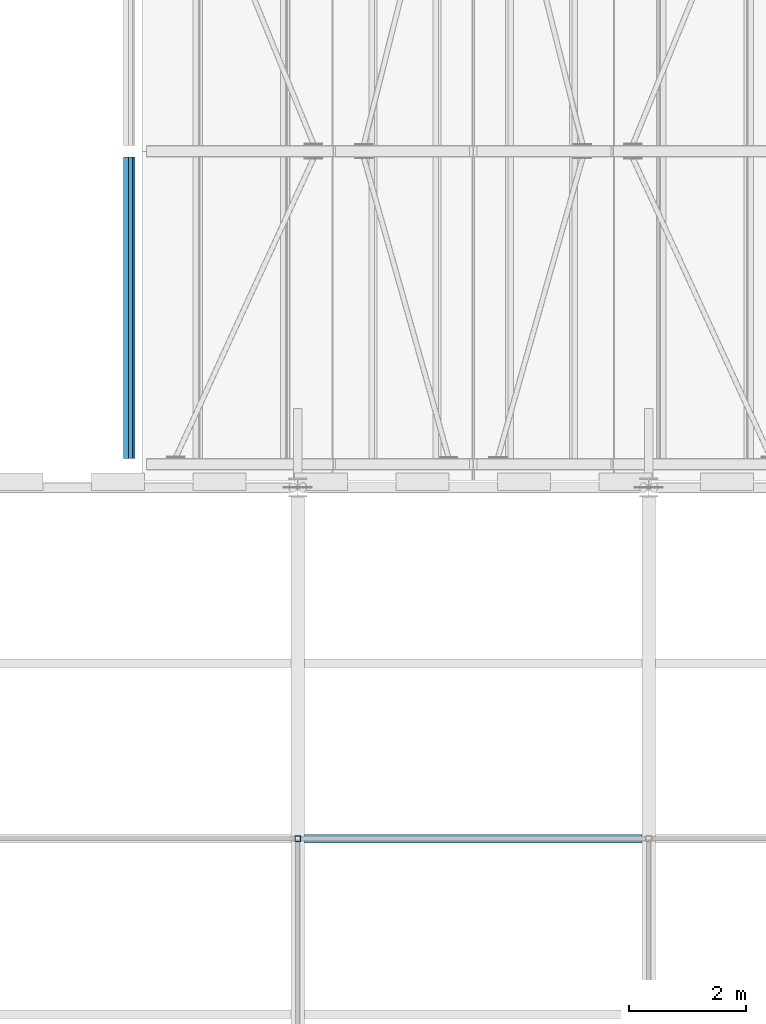
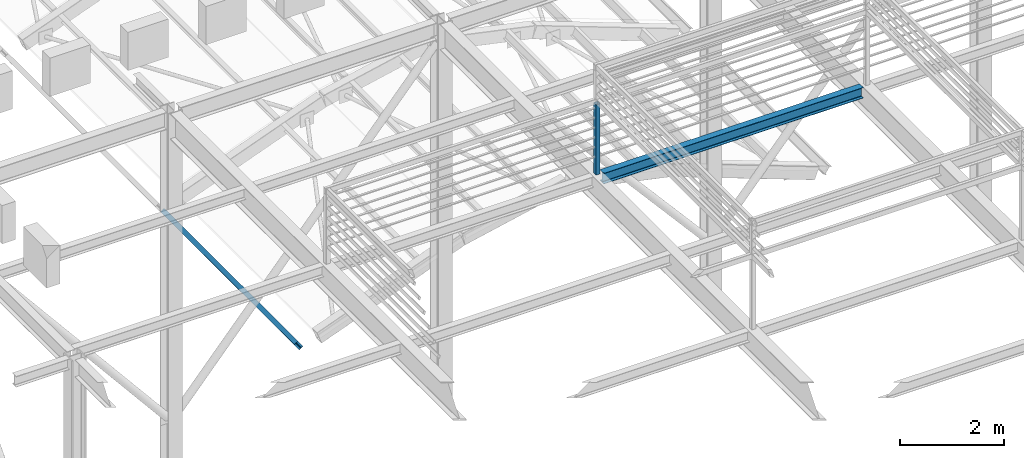
# One storey, part 16 of 57: 2 members, 1 beam.
"""IFC4 building model written with IfcOpenShell, lengths in metres."""

from ifc_helpers import new_model, si_unit, direction, frame, origin, origin_2d, place, context, subcontext, project, spatial, hollow_rectangle, i_section, extrude, material, material_profile, profile_set, type_object, element, save


model = new_model("IFC4")

# Units and contexts
model_context = context("Model", 3, precision=1e-05, world=origin(), true_north=direction((0.0, 1.0)))
body_context = subcontext(model_context, "Body", "Model", "MODEL_VIEW")
ifc_project = project(units=[si_unit("LENGTHUNIT", "METRE"), si_unit("AREAUNIT", "SQUARE_METRE"), si_unit("VOLUMEUNIT", "CUBIC_METRE"), si_unit("PLANEANGLEUNIT", "RADIAN"), si_unit("MASSUNIT", "GRAM", prefix="KILO")], contexts=[model_context])

# Site, building, storey
site_placement = place(None, origin())
site = spatial("IfcSite", under=ifc_project, at=site_placement, CompositionType="ELEMENT")
building_placement = place(site_placement, origin())
building = spatial("IfcBuilding", under=site, at=building_placement, Name="Saffron Lane Theatres", CompositionType="ELEMENT")
storey_placement = place(building_placement, frame((0.0, 0.0, 28.0)))
storey = spatial("IfcBuildingStorey", under=building, at=storey_placement, Name="Upper Roof", CompositionType="ELEMENT", Elevation=28.0)

# Member
ifc_material_1 = material(Name="Steel Grade 350", Category="steel")
ifc_material_profile_1 = material_profile(ifc_material_1, hollow_rectangle(XDim=0.10009765625, YDim=0.10009765625, WallThickness=0.006103515625, InnerFilletRadius=0.0029296875, OuterFilletRadius=0.009033203125, at=origin_2d()))
ifc_profile_set_1 = profile_set([ifc_material_profile_1], Name="Steel Grade 350")
member_type_1 = type_object("IfcMemberType", Name="ST-LANTERN POST 100x100x6 SHS", PredefinedType="POST", material=ifc_profile_set_1)
member_1_placement = place(storey_placement, frame((30.0, 48.25, 8.85009765625), z_axis=(0.0, 0.0, 1.0), x_axis=(1.0, 0.0, 0.0)))
element("IfcMember", 1, at=member_1_placement, inside=storey, type_object=member_type_1, Name="LP6", PredefinedType="POST", context=body_context, shape_type="SweptSolid", body=[
    extrude(hollow_rectangle(XDim=0.10009765625, YDim=0.10009765625, WallThickness=0.006103515625, InnerFilletRadius=0.0029296875, OuterFilletRadius=0.009033203125, at=origin_2d()), origin(), (0.0, 0.0, 1.0), 1.64990234375),
])

# Beam
ifc_material_2 = material(Name="Steel Grade 350", Category="steel")
ifc_material_profile_2 = material_profile(ifc_material_2, i_section(OverallWidth=0.14599609375, OverallDepth=0.251953125, WebThickness=0.006103515625, FlangeThickness=0.008544921875, FilletRadius=0.011962890625, at=origin_2d()))
ifc_profile_set_2 = profile_set([ifc_material_profile_2], Name="Steel Grade 350")
beam_type = type_object("IfcBeamType", Name="ST-ROOF JOIST 250UB31.4", PredefinedType="JOIST", material=ifc_profile_set_2)
beam_placement = place(storey_placement, frame((30.114013671875, 48.25, 8.72412109375), z_axis=(1.0, 0.0, 0.0), x_axis=(0.0, 1.0, 0.0)))
element("IfcBeam", 2, at=beam_placement, inside=storey, type_object=beam_type, Name="TT28", PredefinedType="JOIST", context=body_context, shape_type="SweptSolid", body=[
    extrude(i_section(OverallWidth=0.14599609375, OverallDepth=0.251953125, WebThickness=0.006103515625, FlangeThickness=0.008544921875, FilletRadius=0.011962890625, at=origin_2d()), origin(), (0.0, 0.0, 1.0), 5.77197265625),
])

# Member
ifc_material_3 = material(Name="Steel Grade 350", Category="steel")
ifc_material_profile_3 = material_profile(ifc_material_3, i_section(OverallWidth=0.09912109375, OverallDepth=0.197998046875, WebThickness=0.00439453125, FlangeThickness=0.007080078125, FilletRadius=0.010986328125, at=origin_2d()))
ifc_profile_set_3 = profile_set([ifc_material_profile_3], Name="Steel Grade 350")
member_type_2 = type_object("IfcMemberType", Name="ST-VAULT PURLIN 200UB18.2", PredefinedType="PURLIN", material=ifc_profile_set_3)
member_2_placement = place(storey_placement, frame((27.120849609375, 54.75, 1.864990234375), z_axis=(0.0, 1.0, 0.0), x_axis=(0.823487130919, 0.0, 0.567334949752)))
element("IfcMember", 3, at=member_2_placement, inside=storey, type_object=member_type_2, Name="VP1B4", PredefinedType="PURLIN", context=body_context, shape_type="SweptSolid", body=[
    extrude(i_section(OverallWidth=0.09912109375, OverallDepth=0.197998046875, WebThickness=0.00439453125, FlangeThickness=0.007080078125, FilletRadius=0.010986328125, at=origin_2d()), origin(), (0.0, 0.0, 1.0), 5.14990234375),
])

save(model, "model.ifc")
